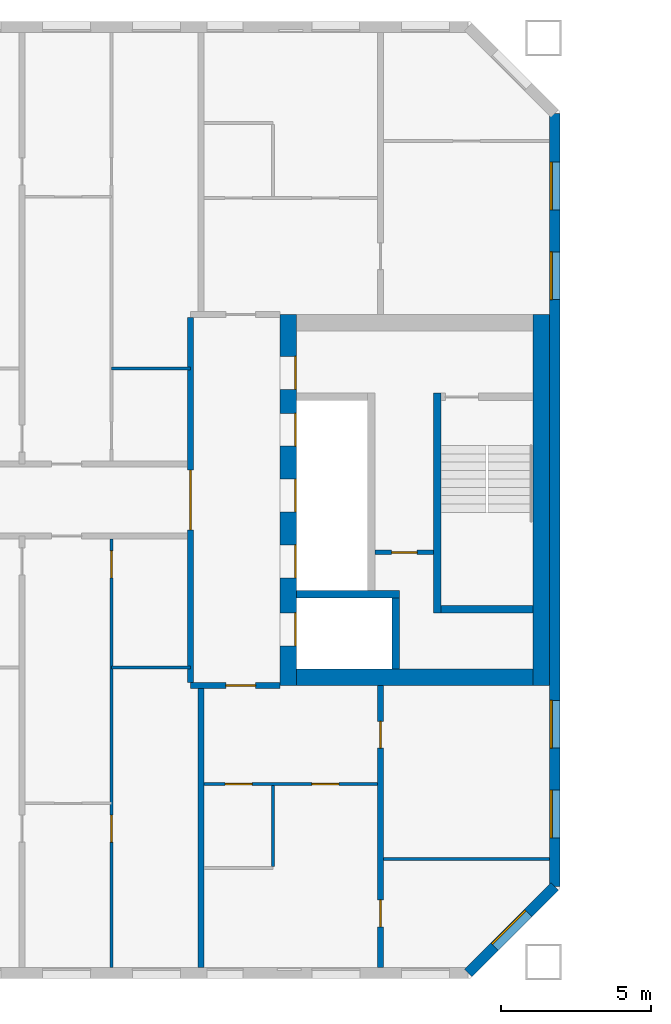
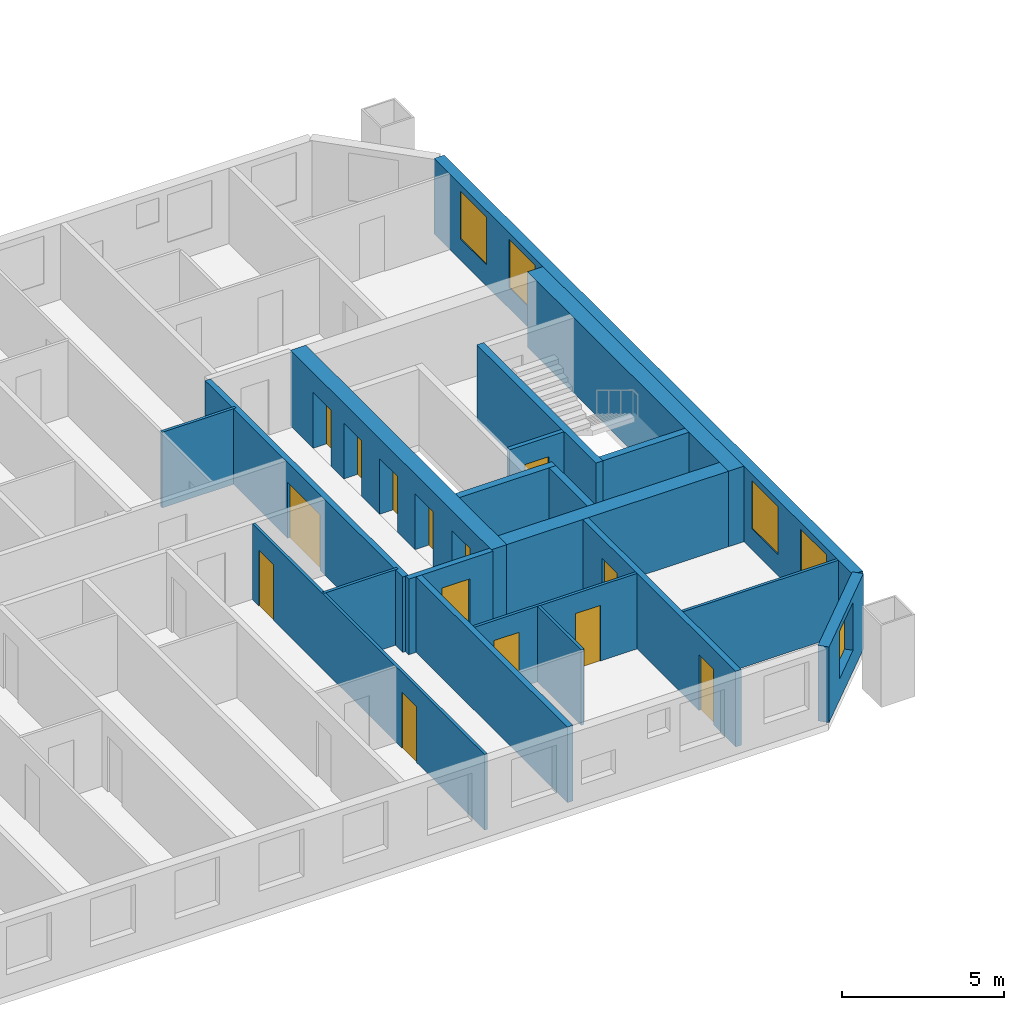
# One storey, part 7 of 17: 20 walls, 14 doors, 5 windows, 19 openings.
"""IFC4 building model written with IfcOpenShell, lengths in metres."""

import ifcopenshell
import ifcopenshell.guid

model = None  # the IFC model being written
_history = None  # IfcOwnerHistory: only IFC2X3 demands one
_inside = {}  # id of a spatial element -> (the spatial element, [elements in it])
_under = {}  # id of a project, library or spatial element -> (it, [spatial elements below it])
_declared = {}  # id of a project -> (the project, [libraries it declares])
_typed = {}  # id of a type object -> (the type object, [elements of that type])
_made_of = {}  # id of a material, layer set ... -> (it, [elements and type objects made of it])


def new_model(schema):
    """Start an empty IFC model of exactly this schema.

    Asked for "IFC4X3", IfcOpenShell would pick the latest addendum, in which some entities
    have other attributes; the version numbers below select the first issue.
    IFC2X3 requires an IfcOwnerHistory on every rooted entity: one is made here for all.
    """
    global model, _history
    if schema == "IFC4X3":
        model = ifcopenshell.file(schema_version=(4, 3, 0, 0))
    else:
        model = ifcopenshell.file(schema=schema)
    _inside.clear()
    _under.clear()
    _declared.clear()
    _typed.clear()
    _made_of.clear()
    _history = None
    if model.schema == "IFC2X3":
        org = make("IfcOrganization", Name="unknown")
        user = make(
            "IfcPersonAndOrganization",
            ThePerson=make("IfcPerson", FamilyName="unknown"),
            TheOrganization=org,
        )
        app = make(
            "IfcApplication",
            ApplicationDeveloper=org,
            Version="unknown",
            ApplicationFullName="unknown",
            ApplicationIdentifier="unknown",
        )
        _history = make(
            "IfcOwnerHistory",
            OwningUser=user,
            OwningApplication=app,
            ChangeAction="ADDED",
            CreationDate=0,
        )
    return model


def make(cls, **values):
    """One entity of the class cls with the attributes given. An attribute that is None is left unset."""
    return model.create_entity(
        cls, **{name: value for name, value in values.items() if value is not None}
    )


def rooted(cls, **values):
    """An entity with a GlobalId (a new one), such as an element, a storey or a relation."""
    return make(cls, GlobalId=ifcopenshell.guid.new(), OwnerHistory=_history, **values)


def si_unit(unit_type, name, prefix=None):
    """IfcSIUnit, for example si_unit("LENGTHUNIT", "METRE", prefix="MILLI")."""
    return make("IfcSIUnit", UnitType=unit_type, Prefix=prefix, Name=name)


def assignment(units):
    """IfcUnitAssignment: the units of a project."""
    return None if units is None else make("IfcUnitAssignment", Units=units)


def point(xyz):
    """IfcCartesianPoint."""
    return None if xyz is None else make("IfcCartesianPoint", Coordinates=xyz)


def direction(xyz):
    """IfcDirection."""
    return None if xyz is None else make("IfcDirection", DirectionRatios=xyz)


def frame(location, z_axis=None, x_axis=None):
    """IfcAxis2Placement3D, a coordinate frame: its origin and axes. An axis left out is left unset."""
    return make(
        "IfcAxis2Placement3D",
        Location=point(location),
        Axis=direction(z_axis),
        RefDirection=direction(x_axis),
    )


def frame_2d(location, x_axis=None):
    """IfcAxis2Placement2D, a coordinate frame in the plane: its origin and x axis."""
    return make(
        "IfcAxis2Placement2D", Location=point(location), RefDirection=direction(x_axis)
    )


def origin():
    """The frame at (0, 0, 0) with its axes left unset."""
    return frame((0.0, 0.0, 0.0))


def place(relative_to, where):
    """IfcLocalPlacement: puts the frame where relative to a parent placement (None: the world)."""
    return make(
        "IfcLocalPlacement", PlacementRelTo=relative_to, RelativePlacement=where
    )


def context(
    kind, dimensions, precision=None, world=None, true_north=None, identifier=None
):
    """IfcGeometricRepresentationContext, for example the 3D "Model" context."""
    return make(
        "IfcGeometricRepresentationContext",
        ContextIdentifier=identifier,
        ContextType=kind,
        CoordinateSpaceDimension=dimensions,
        Precision=precision,
        WorldCoordinateSystem=world,
        TrueNorth=true_north,
    )


def subcontext(parent, identifier, kind, view, scale=None):
    """IfcGeometricRepresentationSubContext, for example "Body" below "Model"."""
    return make(
        "IfcGeometricRepresentationSubContext",
        ContextIdentifier=identifier,
        ContextType=kind,
        ParentContext=parent,
        TargetScale=scale,
        TargetView=view,
    )


def project(units=None, contexts=None):
    """IfcProject with its units and contexts."""
    return rooted(
        "IfcProject",
        Name="project",
        RepresentationContexts=contexts,
        UnitsInContext=assignment(units),
    )


def spatial(cls, under=None, at=None, **own):
    """A site, building, storey or space (cls), placed at a placement, below another one or the project."""
    s = rooted(cls, ObjectPlacement=at, **own)
    if under is not None:
        _under.setdefault(under.id(), (under, []))[1].append(s)
    return s


def profile(cls, at=None, kind="AREA", **sizes):
    """A parametric profile (cls). Its sizes go by their IFC names, for example OverallWidth=200.0."""
    return make(cls, ProfileType=kind, Position=at, **sizes)


def rectangle(**sizes):
    """IfcRectangleProfileDef."""
    return profile("IfcRectangleProfileDef", **sizes)


def extrude(swept, where, along, depth):
    """IfcExtrudedAreaSolid: the profile swept, set in the frame where, extruded along a direction by depth."""
    return make(
        "IfcExtrudedAreaSolid",
        SweptArea=swept,
        Position=where,
        ExtrudedDirection=direction(along),
        Depth=depth,
    )


def shape(context_of_items, identifier, shape_type, items):
    """IfcShapeRepresentation: the items that make up one representation, for example the "Body"."""
    return make(
        "IfcShapeRepresentation",
        ContextOfItems=context_of_items,
        RepresentationIdentifier=identifier,
        RepresentationType=shape_type,
        Items=items,
    )


def material(Name=None, Category=None):
    """IfcMaterial."""
    return make("IfcMaterial", Name=Name, Category=Category)


def layer(
    of_material, thickness, ventilated=None, Name=None, Category=None, Priority=None
):
    """IfcMaterialLayer: one layer of a wall or slab, of a material (None: an air gap)."""
    return make(
        "IfcMaterialLayer",
        Material=of_material,
        LayerThickness=thickness,
        IsVentilated=ventilated,
        Name=Name,
        Category=Category,
        Priority=Priority,
    )


def layer_set(layers, Name=None):
    """IfcMaterialLayerSet."""
    return make("IfcMaterialLayerSet", MaterialLayers=layers, LayerSetName=Name)


def made_of(thing, what):
    """Note that an element or type object is made of a material, layer set ...; save() writes the relation."""
    if what is not None:
        _made_of.setdefault(what.id(), (what, []))[1].append(thing)
    return thing


def type_object(cls, material=None, **own):
    """A type object (cls), such as IfcWallType, which elements share."""
    return made_of(rooted(cls, **own), material)


def element(
    cls,
    number,
    at=None,
    inside=None,
    cuts=None,
    type_object=None,
    material=None,
    context=None,
    identifier="Body",
    shape_type=None,
    held_by="IfcProductDefinitionShape",
    body=None,
    shapes=None,
    **own,
):
    """One element of the class cls, such as IfcWall. Its Tag is "e" and its number.

    at: its placement. inside: the storey or other place that contains it. cuts: it is an
    opening in that element (IfcRelVoidsElement). A single representation is given by context,
    identifier, shape_type and body (its items); several are given by shapes. held_by: the class
    of the entity that holds the representations. save() writes the other relations.
    """
    e = rooted(cls, Tag="e%d" % number, ObjectPlacement=at, **own)
    if body is not None:
        shapes = [shape(context, identifier, shape_type, body)]
    if shapes is not None:
        e.Representation = make(held_by, Representations=shapes)
    if inside is not None:
        _inside.setdefault(inside.id(), (inside, []))[1].append(e)
    if cuts is not None:
        rooted(
            "IfcRelVoidsElement", RelatingBuildingElement=cuts, RelatedOpeningElement=e
        )
    if type_object is not None:
        _typed.setdefault(type_object.id(), (type_object, []))[1].append(e)
    return made_of(e, material)


def fill(opening, filler):
    """IfcRelFillsElement: the door or window that sits in an opening."""
    return rooted(
        "IfcRelFillsElement",
        RelatingOpeningElement=opening,
        RelatedBuildingElement=filler,
    )


def aggregate(whole, parts):
    """IfcRelAggregates: a whole, such as a stair, and the parts it consists of."""
    return rooted("IfcRelAggregates", RelatingObject=whole, RelatedObjects=parts)


def save(model, path):
    """Write the relations noted so far, then the file.

    IfcRelAggregates (storeys below a building ...), IfcRelContainedInSpatialStructure (elements
    in a storey), IfcRelDefinesByType, IfcRelAssociatesMaterial and IfcRelDeclares: one each for
    every whole, place, type object, material and project.
    """
    for whole, parts in _under.values():
        aggregate(whole, parts)
    for where, things in _inside.values():
        rooted(
            "IfcRelContainedInSpatialStructure",
            RelatedElements=things,
            RelatingStructure=where,
        )
    for kind, things in _typed.values():
        rooted("IfcRelDefinesByType", RelatedObjects=things, RelatingType=kind)
    for what, things in _made_of.values():
        rooted("IfcRelAssociatesMaterial", RelatedObjects=things, RelatingMaterial=what)
    for by, libraries in _declared.values():
        rooted("IfcRelDeclares", RelatingContext=by, RelatedDefinitions=libraries)
    model.write(path)


model = new_model("IFC4")

# Units and contexts
model_context = context("Model", 3, precision=1e-05, world=origin(), true_north=direction((0.0, 1.0)))
body_context = subcontext(model_context, "Body", "Model", "MODEL_VIEW")
ifc_project = project(units=[si_unit("LENGTHUNIT", "METRE"), si_unit("AREAUNIT", "SQUARE_METRE"), si_unit("VOLUMEUNIT", "CUBIC_METRE"), si_unit("PLANEANGLEUNIT", "RADIAN"), si_unit("MASSUNIT", "GRAM", prefix="KILO")], contexts=[model_context])

# Site, building, storey
site_placement = place(None, origin())
site = spatial("IfcSite", under=ifc_project, at=site_placement, CompositionType="ELEMENT")
building_placement = place(site_placement, origin())
building = spatial("IfcBuilding", under=site, at=building_placement, Name="Tuart Gate Housing", CompositionType="ELEMENT")
storey_placement = place(building_placement, frame((0.0, 0.0, 126.800048828125)))
storey = spatial("IfcBuildingStorey", under=building, at=storey_placement, Name="L35", CompositionType="ELEMENT", Elevation=126.800048828125)

# Wall, opening, window
ifc_material_1 = material(Name="Brick", Category="masonry")
ifc_layer_1 = layer(ifc_material_1, 0.360107421875)
ifc_layer_set_1 = layer_set([ifc_layer_1], Name="Brick pier and spandrel wall 360")
wall_type_1 = type_object("IfcWallType", Name="Brick pier and spandrel wall 360", PredefinedType="STANDARD", material=ifc_layer_set_1)
wall_1_placement = place(storey_placement, frame((72.92529296875, 54.179931640625, 0.0), z_axis=(0.0, 0.0, 1.0), x_axis=(0.707106781187, 0.707106781187, 0.0)))
wall_1 = element("IfcWall", 1, at=wall_1_placement, inside=storey, type_object=wall_type_1, Name="External wall A-SE L35", PredefinedType="STANDARD", context=body_context, shape_type="SweptSolid", body=[
    extrude(rectangle(XDim=4.09375, YDim=0.360107421875, at=frame_2d((2.046875, 0.0))), origin(), (0.0, 0.0, 1.0), 2.849853515625),
])
opening_1_placement = place(wall_1_placement, frame((1.2470703125, 0.0, 0.800048828125)))
opening_1 = element("IfcOpeningElement", 2, at=opening_1_placement, cuts=wall_1, Name="Opening W1", PredefinedType="OPENING", context=body_context, shape_type="SweptSolid", body=[
    extrude(rectangle(XDim=1.60009765625, YDim=1.800048828125, at=frame_2d((0.800048828125, 0.89990234375))), frame((0.0, 0.18994140625, 0.0), z_axis=(0.0, -1.0, 0.0), x_axis=(1.0, 0.0, 0.0)), (0.0, 0.0, 1.0), 0.380126953125),
])
ifc_material_2 = material(Name="Aluminium frame with clear glass", Category="aluminium")
window_type = type_object("IfcWindowType", Name="Punched window 1600 x 1800", PartitioningType="SINGLE_PANEL", PredefinedType="WINDOW", material=ifc_material_2)
window_1_placement = place(opening_1_placement, origin())
window_1 = element("IfcWindow", 3, at=window_1_placement, inside=storey, type_object=window_type, Name="Window W1", OverallHeight=1.800048828125, OverallWidth=1.60009765625, PartitioningType="SINGLE_PANEL", PredefinedType="WINDOW", context=body_context, shape_type="SweptSolid", body=[
    extrude(rectangle(XDim=1.60009765625, YDim=1.800048828125, at=frame_2d((0.800048828125, 0.89990234375))), frame((0.0, 0.150146484375, 0.0), z_axis=(0.0, -1.0, 0.0), x_axis=(1.0, 0.0, 0.0)), (0.0, 0.0, 1.0), 0.06005859375),
])
fill(opening_1, window_1)

# Wall, openings, windows
wall_2_placement = place(storey_placement, frame((75.820068359375, 57.07470703125, 0.0), z_axis=(0.0, 0.0, 1.0), x_axis=(0.0, 1.0, 0.0)))
wall_2 = element("IfcWall", 4, at=wall_2_placement, inside=storey, type_object=wall_type_1, Name="External wall A-E L35", PredefinedType="STANDARD", context=body_context, shape_type="SweptSolid", body=[
    extrude(rectangle(XDim=25.850830078125, YDim=0.360107421875, at=frame_2d((12.92529296875, 0.0))), origin(), (0.0, 0.0, 1.0), 2.849853515625),
])
opening_2_placement = place(wall_2_placement, frame((1.62548828125, 0.0, 0.800048828125)))
opening_2 = element("IfcOpeningElement", 5, at=opening_2_placement, cuts=wall_2, Name="Opening W1", PredefinedType="OPENING", context=body_context, shape_type="SweptSolid", body=[
    extrude(rectangle(XDim=1.60009765625, YDim=1.800048828125, at=frame_2d((0.800048828125, 0.89990234375))), frame((0.0, 0.18994140625, 0.0), z_axis=(0.0, -1.0, 0.0), x_axis=(1.0, 0.0, 0.0)), (0.0, 0.0, 1.0), 0.380126953125),
])
opening_3_placement = place(wall_2_placement, frame((4.62548828125, 0.0, 0.800048828125)))
opening_3 = element("IfcOpeningElement", 6, at=opening_3_placement, cuts=wall_2, Name="Opening W1", PredefinedType="OPENING", context=body_context, shape_type="SweptSolid", body=[
    extrude(rectangle(XDim=1.60009765625, YDim=1.800048828125, at=frame_2d((0.800048828125, 0.89990234375))), frame((0.0, 0.18994140625, 0.0), z_axis=(0.0, -1.0, 0.0), x_axis=(1.0, 0.0, 0.0)), (0.0, 0.0, 1.0), 0.380126953125),
])
opening_4_placement = place(wall_2_placement, frame((19.62548828125, 0.0, 0.800048828125)))
opening_4 = element("IfcOpeningElement", 7, at=opening_4_placement, cuts=wall_2, Name="Opening W1", PredefinedType="OPENING", context=body_context, shape_type="SweptSolid", body=[
    extrude(rectangle(XDim=1.60009765625, YDim=1.800048828125, at=frame_2d((0.800048828125, 0.89990234375))), frame((0.0, 0.18994140625, 0.0), z_axis=(0.0, -1.0, 0.0), x_axis=(1.0, 0.0, 0.0)), (0.0, 0.0, 1.0), 0.380126953125),
])
opening_5_placement = place(wall_2_placement, frame((22.62548828125, 0.0, 0.800048828125)))
opening_5 = element("IfcOpeningElement", 8, at=opening_5_placement, cuts=wall_2, Name="Opening W1", PredefinedType="OPENING", context=body_context, shape_type="SweptSolid", body=[
    extrude(rectangle(XDim=1.60009765625, YDim=1.800048828125, at=frame_2d((0.800048828125, 0.89990234375))), frame((0.0, 0.18994140625, 0.0), z_axis=(0.0, -1.0, 0.0), x_axis=(1.0, 0.0, 0.0)), (0.0, 0.0, 1.0), 0.380126953125),
])
window_2_placement = place(opening_2_placement, origin())
window_2 = element("IfcWindow", 9, at=window_2_placement, inside=storey, type_object=window_type, Name="Window W1", OverallHeight=1.800048828125, OverallWidth=1.60009765625, PartitioningType="SINGLE_PANEL", PredefinedType="WINDOW", context=body_context, shape_type="SweptSolid", body=[
    extrude(rectangle(XDim=1.60009765625, YDim=1.800048828125, at=frame_2d((0.800048828125, 0.89990234375))), frame((0.0, 0.150146484375, 0.0), z_axis=(0.0, -1.0, 0.0), x_axis=(1.0, 0.0, 0.0)), (0.0, 0.0, 1.0), 0.06005859375),
])
fill(opening_2, window_2)
window_3_placement = place(opening_3_placement, origin())
window_3 = element("IfcWindow", 10, at=window_3_placement, inside=storey, type_object=window_type, Name="Window W1", OverallHeight=1.800048828125, OverallWidth=1.60009765625, PartitioningType="SINGLE_PANEL", PredefinedType="WINDOW", context=body_context, shape_type="SweptSolid", body=[
    extrude(rectangle(XDim=1.60009765625, YDim=1.800048828125, at=frame_2d((0.800048828125, 0.89990234375))), frame((0.0, 0.150146484375, 0.0), z_axis=(0.0, -1.0, 0.0), x_axis=(1.0, 0.0, 0.0)), (0.0, 0.0, 1.0), 0.06005859375),
])
fill(opening_3, window_3)
window_4_placement = place(opening_4_placement, origin())
window_4 = element("IfcWindow", 11, at=window_4_placement, inside=storey, type_object=window_type, Name="Window W1", OverallHeight=1.800048828125, OverallWidth=1.60009765625, PartitioningType="SINGLE_PANEL", PredefinedType="WINDOW", context=body_context, shape_type="SweptSolid", body=[
    extrude(rectangle(XDim=1.60009765625, YDim=1.800048828125, at=frame_2d((0.800048828125, 0.89990234375))), frame((0.0, 0.150146484375, 0.0), z_axis=(0.0, -1.0, 0.0), x_axis=(1.0, 0.0, 0.0)), (0.0, 0.0, 1.0), 0.06005859375),
])
fill(opening_4, window_4)
window_5_placement = place(opening_5_placement, origin())
window_5 = element("IfcWindow", 12, at=window_5_placement, inside=storey, type_object=window_type, Name="Window W1", OverallHeight=1.800048828125, OverallWidth=1.60009765625, PartitioningType="SINGLE_PANEL", PredefinedType="WINDOW", context=body_context, shape_type="SweptSolid", body=[
    extrude(rectangle(XDim=1.60009765625, YDim=1.800048828125, at=frame_2d((0.800048828125, 0.89990234375))), frame((0.0, 0.150146484375, 0.0), z_axis=(0.0, -1.0, 0.0), x_axis=(1.0, 0.0, 0.0)), (0.0, 0.0, 1.0), 0.06005859375),
])
fill(opening_5, window_5)

# Wall, opening, door
ifc_material_3 = material(Name="Plasterboard partition")
ifc_layer_2 = layer(ifc_material_3, 0.14990234375)
ifc_layer_set_2 = layer_set([ifc_layer_2], Name="Core partition 150")
wall_type_2 = type_object("IfcWallType", Name="Core partition 150", PredefinedType="PARTITIONING", material=ifc_layer_set_2)
wall_3_placement = place(storey_placement, frame((69.81494140625, 68.25, 0.0), z_axis=(0.0, 0.0, 1.0), x_axis=(1.0, 0.0, 0.0)))
wall_3 = element("IfcWall", 13, at=wall_3_placement, inside=storey, type_object=wall_type_2, Name="Core partition AG.3", PredefinedType="PARTITIONING", context=body_context, shape_type="SweptSolid", body=[
    extrude(rectangle(XDim=1.949951171875, YDim=0.14990234375, at=frame_2d((0.97509765625, 0.0))), origin(), (0.0, 0.0, 1.0), 2.849853515625),
])
opening_6_placement = place(wall_3_placement, frame((0.550048828125, 0.0, 0.0)))
opening_6 = element("IfcOpeningElement", 14, at=opening_6_placement, cuts=wall_3, Name="Opening D1327", PredefinedType="OPENING", context=body_context, shape_type="SweptSolid", body=[
    extrude(rectangle(XDim=0.85009765625, YDim=2.10009765625, at=frame_2d((0.425048828125, 1.050048828125))), frame((0.0, 0.0849609375, 0.0), z_axis=(0.0, -1.0, 0.0), x_axis=(1.0, 0.0, 0.0)), (0.0, 0.0, 1.0), 0.169921875),
])
ifc_material_4 = material(Name="Steel fire door", Category="steel")
door_type_1 = type_object("IfcDoorType", Name="Riser door 850 x 2100 RH", OperationType="SINGLE_SWING_RIGHT", PredefinedType="DOOR", material=ifc_material_4)
door_1_placement = place(opening_6_placement, frame((0.85009765625, 0.0, 0.0), z_axis=(0.0, 0.0, 1.0), x_axis=(-1.0, 0.0, 0.0)))
door_1 = element("IfcDoor", 15, at=door_1_placement, inside=storey, type_object=door_type_1, Name="Service room door AG.E1", OperationType="SINGLE_SWING_RIGHT", OverallHeight=2.10009765625, OverallWidth=0.85009765625, PredefinedType="DOOR", context=body_context, shape_type="SweptSolid", body=[
    extrude(rectangle(XDim=0.85009765625, YDim=2.10009765625, at=frame_2d((0.425048828125, 1.050048828125))), frame((0.0, 0.025146484375, 0.0), z_axis=(0.0, -1.0, 0.0), x_axis=(1.0, 0.0, 0.0)), (0.0, 0.0, 1.0), 0.050048828125),
])
fill(opening_6, door_1)

# Walls
ifc_material_5 = material(Name="Concrete C50", Category="concrete")
ifc_layer_3 = layer(ifc_material_5, 0.25)
ifc_layer_set_3 = layer_set([ifc_layer_3], Name="Core wall 250 C50")
wall_type_3 = type_object("IfcWallType", Name="Core wall 250 C50", PredefinedType="SHEAR", material=ifc_layer_set_3)
wall_4_placement = place(storey_placement, frame((72.014892578125, 66.35009765625, 0.0), z_axis=(0.0, 0.0, 1.0), x_axis=(1.0, 0.0, 0.0)))
element("IfcWall", 16, at=wall_4_placement, inside=storey, type_object=wall_type_3, Name="Core wall AG.1", PredefinedType="SHEAR", context=body_context, shape_type="SweptSolid", body=[
    extrude(rectangle(XDim=3.0751953125, YDim=0.25, at=frame_2d((1.53759765625, 0.0))), origin(), (0.0, 0.0, 1.0), 2.849853515625),
])
wall_5_placement = place(storey_placement, frame((67.18994140625, 66.85009765625, 0.0), z_axis=(0.0, 0.0, 1.0), x_axis=(1.0, 0.0, 0.0)))
element("IfcWall", 17, at=wall_5_placement, inside=storey, type_object=wall_type_3, Name="Core wall AG.2", PredefinedType="SHEAR", context=body_context, shape_type="SweptSolid", body=[
    extrude(rectangle(XDim=3.445068359375, YDim=0.25, at=frame_2d((1.72265625, 0.0))), origin(), (0.0, 0.0, 1.0), 2.849853515625),
])
wall_6_placement = place(storey_placement, frame((70.510009765625, 64.35009765625, 0.0), z_axis=(0.0, 0.0, 1.0), x_axis=(0.0, 1.0, 0.0)))
element("IfcWall", 18, at=wall_6_placement, inside=storey, type_object=wall_type_3, Name="Core wall AG.7", PredefinedType="SHEAR", context=body_context, shape_type="SweptSolid", body=[
    extrude(rectangle(XDim=2.375, YDim=0.25, at=frame_2d((1.1875, 0.0))), origin(), (0.0, 0.0, 1.0), 2.849853515625),
])
wall_7_placement = place(storey_placement, frame((71.889892578125, 66.22509765625, 0.0), z_axis=(0.0, 0.0, 1.0), x_axis=(0.0, 1.0, 0.0)))
element("IfcWall", 19, at=wall_7_placement, inside=storey, type_object=wall_type_3, Name="Core wall AG.8", PredefinedType="SHEAR", context=body_context, shape_type="SweptSolid", body=[
    extrude(rectangle(XDim=7.349853515625, YDim=0.25, at=frame_2d((3.6748046875, 0.0))), origin(), (0.0, 0.0, 1.0), 2.849853515625),
])

# Wall, openings, doors
ifc_material_6 = material(Name="Concrete C50", Category="concrete")
ifc_layer_4 = layer(ifc_material_6, 0.550048828125)
ifc_layer_set_4 = layer_set([ifc_layer_4], Name="Core wall 550 C50")
wall_type_4 = type_object("IfcWallType", Name="Core wall 550 C50", PredefinedType="SHEAR", material=ifc_layer_set_4)
wall_8_placement = place(storey_placement, frame((66.9150390625, 63.800048828125, 0.0), z_axis=(0.0, 0.0, 1.0), x_axis=(0.0, 1.0, 0.0)))
wall_8 = element("IfcWall", 20, at=wall_8_placement, inside=storey, type_object=wall_type_4, Name="Core wall AG front", PredefinedType="SHEAR", context=body_context, shape_type="SweptSolid", body=[
    extrude(rectangle(XDim=12.39990234375, YDim=0.550048828125, at=frame_2d((6.199951171875, 0.0))), origin(), (0.0, 0.0, 1.0), 2.849853515625),
])
opening_7_placement = place(wall_8_placement, frame((1.324951171875, 0.0, 0.0)))
opening_7 = element("IfcOpeningElement", 21, at=opening_7_placement, cuts=wall_8, Name="Opening LD-FA1", PredefinedType="OPENING", context=body_context, shape_type="SweptSolid", body=[
    extrude(rectangle(XDim=1.10009765625, YDim=2.10009765625, at=frame_2d((0.550048828125, 1.050048828125))), frame((0.0, 0.284912109375, 0.0), z_axis=(0.0, -1.0, 0.0), x_axis=(1.0, 0.0, 0.0)), (0.0, 0.0, 1.0), 0.570068359375),
])
opening_8_placement = place(wall_8_placement, frame((3.60009765625, 0.0, 0.0)))
opening_8 = element("IfcOpeningElement", 22, at=opening_8_placement, cuts=wall_8, Name="Opening LD-LA1", PredefinedType="OPENING", context=body_context, shape_type="SweptSolid", body=[
    extrude(rectangle(XDim=1.10009765625, YDim=2.10009765625, at=frame_2d((0.550048828125, 1.050048828125))), frame((0.0, 0.284912109375, 0.0), z_axis=(0.0, -1.0, 0.0), x_axis=(1.0, 0.0, 0.0)), (0.0, 0.0, 1.0), 0.570068359375),
])
opening_9_placement = place(wall_8_placement, frame((5.800048828125, 0.0, 0.0)))
opening_9 = element("IfcOpeningElement", 23, at=opening_9_placement, cuts=wall_8, Name="Opening LD-LA2", PredefinedType="OPENING", context=body_context, shape_type="SweptSolid", body=[
    extrude(rectangle(XDim=1.10009765625, YDim=2.10009765625, at=frame_2d((0.550048828125, 1.050048828125))), frame((0.0, 0.284912109375, 0.0), z_axis=(0.0, -1.0, 0.0), x_axis=(1.0, 0.0, 0.0)), (0.0, 0.0, 1.0), 0.570068359375),
])
opening_10_placement = place(wall_8_placement, frame((8.0, 0.0, 0.0)))
opening_10 = element("IfcOpeningElement", 24, at=opening_10_placement, cuts=wall_8, Name="Opening LD-LA3", PredefinedType="OPENING", context=body_context, shape_type="SweptSolid", body=[
    extrude(rectangle(XDim=1.10009765625, YDim=2.10009765625, at=frame_2d((0.550048828125, 1.050048828125))), frame((0.0, 0.284912109375, 0.0), z_axis=(0.0, -1.0, 0.0), x_axis=(1.0, 0.0, 0.0)), (0.0, 0.0, 1.0), 0.570068359375),
])
opening_11_placement = place(wall_8_placement, frame((9.89990234375, 0.0, 0.0)))
opening_11 = element("IfcOpeningElement", 25, at=opening_11_placement, cuts=wall_8, Name="Opening D1324", PredefinedType="OPENING", context=body_context, shape_type="SweptSolid", body=[
    extrude(rectangle(XDim=1.10009765625, YDim=2.10009765625, at=frame_2d((0.550048828125, 1.050048828125))), frame((0.0, 0.284912109375, 0.0), z_axis=(0.0, -1.0, 0.0), x_axis=(1.0, 0.0, 0.0)), (0.0, 0.0, 1.0), 0.570068359375),
])
ifc_material_7 = material(Name="Stainless steel", Category="steel")
door_type_2 = type_object("IfcDoorType", Name="Landing door 1100 x 2100", OperationType="DOUBLE_DOOR_SLIDING", PredefinedType="DOOR", material=ifc_material_7)
door_2_placement = place(opening_7_placement, origin())
door_2 = element("IfcDoor", 26, at=door_2_placement, inside=storey, type_object=door_type_2, Name="Lift landing door FA1", OperationType="DOUBLE_DOOR_SLIDING", OverallHeight=2.10009765625, OverallWidth=1.10009765625, PredefinedType="DOOR", context=body_context, shape_type="SweptSolid", body=[
    extrude(rectangle(XDim=1.10009765625, YDim=2.10009765625, at=frame_2d((0.550048828125, 1.050048828125))), frame((0.0, -0.2099609375, 0.0), z_axis=(0.0, -1.0, 0.0), x_axis=(1.0, 0.0, 0.0)), (0.0, 0.0, 1.0), 0.050048828125),
])
fill(opening_7, door_2)
door_3_placement = place(opening_8_placement, origin())
door_3 = element("IfcDoor", 27, at=door_3_placement, inside=storey, type_object=door_type_2, Name="Lift landing door LA1", OperationType="DOUBLE_DOOR_SLIDING", OverallHeight=2.10009765625, OverallWidth=1.10009765625, PredefinedType="DOOR", context=body_context, shape_type="SweptSolid", body=[
    extrude(rectangle(XDim=1.10009765625, YDim=2.10009765625, at=frame_2d((0.550048828125, 1.050048828125))), frame((0.0, -0.2099609375, 0.0), z_axis=(0.0, -1.0, 0.0), x_axis=(1.0, 0.0, 0.0)), (0.0, 0.0, 1.0), 0.050048828125),
])
fill(opening_8, door_3)
door_4_placement = place(opening_9_placement, origin())
door_4 = element("IfcDoor", 28, at=door_4_placement, inside=storey, type_object=door_type_2, Name="Lift landing door LA2", OperationType="DOUBLE_DOOR_SLIDING", OverallHeight=2.10009765625, OverallWidth=1.10009765625, PredefinedType="DOOR", context=body_context, shape_type="SweptSolid", body=[
    extrude(rectangle(XDim=1.10009765625, YDim=2.10009765625, at=frame_2d((0.550048828125, 1.050048828125))), frame((0.0, -0.2099609375, 0.0), z_axis=(0.0, -1.0, 0.0), x_axis=(1.0, 0.0, 0.0)), (0.0, 0.0, 1.0), 0.050048828125),
])
fill(opening_9, door_4)
door_5_placement = place(opening_10_placement, origin())
door_5 = element("IfcDoor", 29, at=door_5_placement, inside=storey, type_object=door_type_2, Name="Lift landing door LA3", OperationType="DOUBLE_DOOR_SLIDING", OverallHeight=2.10009765625, OverallWidth=1.10009765625, PredefinedType="DOOR", context=body_context, shape_type="SweptSolid", body=[
    extrude(rectangle(XDim=1.10009765625, YDim=2.10009765625, at=frame_2d((0.550048828125, 1.050048828125))), frame((0.0, -0.2099609375, 0.0), z_axis=(0.0, -1.0, 0.0), x_axis=(1.0, 0.0, 0.0)), (0.0, 0.0, 1.0), 0.050048828125),
])
fill(opening_10, door_5)
ifc_material_8 = material(Name="Steel fire door", Category="steel")
door_type_3 = type_object("IfcDoorType", Name="Lobby door 1100 x 2100 RH", OperationType="SINGLE_SWING_RIGHT", PredefinedType="DOOR", material=ifc_material_8)
door_6_placement = place(opening_11_placement, frame((1.10009765625, 0.0, 0.0), z_axis=(0.0, 0.0, 1.0), x_axis=(-1.0, 0.0, 0.0)))
door_6 = element("IfcDoor", 30, at=door_6_placement, inside=storey, type_object=door_type_3, Name="Lobby entry door AG.EN", OperationType="SINGLE_SWING_RIGHT", OverallHeight=2.10009765625, OverallWidth=1.10009765625, PredefinedType="DOOR", context=body_context, shape_type="SweptSolid", body=[
    extrude(rectangle(XDim=1.10009765625, YDim=2.10009765625, at=frame_2d((0.550048828125, 1.050048828125))), frame((0.0, 0.260009765625, 0.0), z_axis=(0.0, -1.0, 0.0), x_axis=(1.0, 0.0, 0.0)), (0.0, 0.0, 1.0), 0.050048828125),
])
fill(opening_11, door_6)

# Walls
wall_9_placement = place(storey_placement, frame((75.364990234375, 63.800048828125, 0.0), z_axis=(0.0, 0.0, 1.0), x_axis=(0.0, 1.0, 0.0)))
element("IfcWall", 31, at=wall_9_placement, inside=storey, type_object=wall_type_4, Name="Core wall AG back", PredefinedType="SHEAR", context=body_context, shape_type="SweptSolid", body=[
    extrude(rectangle(XDim=12.39990234375, YDim=0.550048828125, at=frame_2d((6.199951171875, 0.0))), origin(), (0.0, 0.0, 1.0), 2.849853515625),
])
wall_10_placement = place(storey_placement, frame((67.18994140625, 64.074951171875, 0.0), z_axis=(0.0, 0.0, 1.0), x_axis=(1.0, 0.0, 0.0)))
element("IfcWall", 32, at=wall_10_placement, inside=storey, type_object=wall_type_4, Name="Core wall AG south", PredefinedType="SHEAR", context=body_context, shape_type="SweptSolid", body=[
    extrude(rectangle(XDim=7.900146484375, YDim=0.550048828125, at=frame_2d((3.9501953125, 0.0))), origin(), (0.0, 0.0, 1.0), 2.849853515625),
])

# Wall, opening, door
ifc_material_9 = material(Name="Concrete masonry 15 MPa", Category="masonry")
ifc_layer_5 = layer(ifc_material_9, 0.199951171875)
ifc_layer_set_5 = layer_set([ifc_layer_5], Name="Enclosure wall masonry 200")
wall_type_5 = type_object("IfcWallType", Name="Enclosure wall masonry 200", PredefinedType="PARTITIONING", material=ifc_layer_set_5)
wall_11_placement = place(storey_placement, frame((63.639892578125, 63.800048828125, 0.0), z_axis=(0.0, 0.0, 1.0), x_axis=(1.0, 0.0, 0.0)))
wall_11 = element("IfcWall", 33, at=wall_11_placement, inside=storey, type_object=wall_type_5, Name="Enclosure wall masonry 200", PredefinedType="PARTITIONING", context=body_context, shape_type="SweptSolid", body=[
    extrude(rectangle(XDim=3.0, YDim=0.199951171875, at=frame_2d((1.5, 0.0))), origin(), (0.0, 0.0, 1.0), 2.849853515625),
])
opening_12_placement = place(wall_11_placement, frame((1.179931640625, 0.0, 0.0)))
opening_12 = element("IfcOpeningElement", 34, at=opening_12_placement, cuts=wall_11, Name="Opening D1330", PredefinedType="OPENING", context=body_context, shape_type="SweptSolid", body=[
    extrude(rectangle(XDim=1.0, YDim=2.10009765625, at=frame_2d((0.5, 1.050048828125))), frame((0.0, 0.10986328125, 0.0), z_axis=(0.0, -1.0, 0.0), x_axis=(1.0, 0.0, 0.0)), (0.0, 0.0, 1.0), 0.219970703125),
])
ifc_material_10 = material(Name="Timber door leaf in steel frame", Category="steel")
door_type_4 = type_object("IfcDoorType", Name="Flat entrance door 1000 RH", OperationType="SINGLE_SWING_RIGHT", PredefinedType="DOOR", material=ifc_material_10)
door_7_placement = place(opening_12_placement, frame((1.0, 0.0, 0.0), z_axis=(0.0, 0.0, 1.0), x_axis=(-1.0, 0.0, 0.0)))
door_7 = element("IfcDoor", 35, at=door_7_placement, inside=storey, type_object=door_type_4, Name="Flat entrance door", OperationType="SINGLE_SWING_RIGHT", OverallHeight=2.10009765625, OverallWidth=1.0, PredefinedType="DOOR", context=body_context, shape_type="SweptSolid", body=[
    extrude(rectangle(XDim=1.0, YDim=2.10009765625, at=frame_2d((0.5, 1.050048828125))), frame((0.0, 0.025146484375, 0.0), z_axis=(0.0, -1.0, 0.0), x_axis=(1.0, 0.0, 0.0)), (0.0, 0.0, 1.0), 0.050048828125),
])
fill(opening_12, door_7)

ifc_material_11 = material(Name="Plasterboard partition")
ifc_layer_6 = layer(ifc_material_11, 0.199951171875)
ifc_layer_set_6 = layer_set([ifc_layer_6], Name="Lobby wall 200")
wall_type_6 = type_object("IfcWallType", Name="Lobby wall 200", PredefinedType="PARTITIONING", material=ifc_layer_set_6)
wall_12_placement = place(storey_placement, frame((63.639892578125, 63.89990234375, 0.0), z_axis=(0.0, 0.0, 1.0), x_axis=(0.0, 1.0, 0.0)))
wall_12 = element("IfcWall", 36, at=wall_12_placement, inside=storey, type_object=wall_type_6, Name="Lift lobby wall AG", PredefinedType="PARTITIONING", context=body_context, shape_type="SweptSolid", body=[
    extrude(rectangle(XDim=12.2001953125, YDim=0.199951171875, at=frame_2d((6.10009765625, 0.0))), origin(), (0.0, 0.0, 1.0), 2.849853515625),
])
opening_13_placement = place(wall_12_placement, frame((5.10009765625, 0.0, 0.0)))
opening_13 = element("IfcOpeningElement", 37, at=opening_13_placement, cuts=wall_12, Name="Opening D1323", PredefinedType="OPENING", context=body_context, shape_type="SweptSolid", body=[
    extrude(rectangle(XDim=2.0, YDim=2.10009765625, at=frame_2d((1.0, 1.050048828125))), frame((0.0, 0.10986328125, 0.0), z_axis=(0.0, -1.0, 0.0), x_axis=(1.0, 0.0, 0.0)), (0.0, 0.0, 1.0), 0.219970703125),
])
ifc_material_12 = material(Name="Steel fire door", Category="steel")
door_type_5 = type_object("IfcDoorType", Name="Smoke door 2000 x 2100", OperationType="DOUBLE_DOOR_SINGLE_SWING", PredefinedType="DOOR", material=ifc_material_12)
door_8_placement = place(opening_13_placement, frame((2.0, 0.0, 0.0), z_axis=(0.0, 0.0, 1.0), x_axis=(-1.0, 0.0, 0.0)))
door_8 = element("IfcDoor", 38, at=door_8_placement, inside=storey, type_object=door_type_5, Name="Lift lobby smoke door AG", OperationType="DOUBLE_DOOR_SINGLE_SWING", OverallHeight=2.10009765625, OverallWidth=2.0, PredefinedType="DOOR", context=body_context, shape_type="SweptSolid", body=[
    extrude(rectangle(XDim=2.0, YDim=2.10009765625, at=frame_2d((1.0, 1.050048828125))), frame((0.0, 0.025146484375, 0.0), z_axis=(0.0, -1.0, 0.0), x_axis=(1.0, 0.0, 0.0)), (0.0, 0.0, 1.0), 0.050048828125),
])
fill(opening_13, door_8)

# Wall
ifc_material_13 = material(Name="Gypsum board on steel studs", Category="steel")
ifc_layer_7 = layer(ifc_material_13, 0.10009765625)
ifc_layer_set_7 = layer_set([ifc_layer_7], Name="Partition 100")
wall_type_7 = type_object("IfcWallType", Name="Partition 100", PredefinedType="PARTITIONING", material=ifc_layer_set_7)
wall_13_placement = place(storey_placement, frame((70.10009765625, 58.0, 0.0), z_axis=(0.0, 0.0, 1.0), x_axis=(1.0, 0.0, 0.0)))
element("IfcWall", 39, at=wall_13_placement, inside=storey, type_object=wall_type_7, Name="Partition 100", PredefinedType="PARTITIONING", context=body_context, shape_type="SweptSolid", body=[
    extrude(rectangle(XDim=5.539794921875, YDim=0.10009765625, at=frame_2d((2.77001953125, 0.0))), origin(), (0.0, 0.0, 1.0), 2.849853515625),
])

# Wall, openings, doors
wall_14_placement = place(storey_placement, frame((64.10009765625, 60.5, 0.0), z_axis=(0.0, 0.0, 1.0), x_axis=(1.0, 0.0, 0.0)))
wall_14 = element("IfcWall", 40, at=wall_14_placement, inside=storey, type_object=wall_type_7, Name="Partition 100", PredefinedType="PARTITIONING", context=body_context, shape_type="SweptSolid", body=[
    extrude(rectangle(XDim=5.7998046875, YDim=0.10009765625, at=frame_2d((2.89990234375, 0.0))), origin(), (0.0, 0.0, 1.0), 2.849853515625),
])
opening_14_placement = place(wall_14_placement, frame((3.60009765625, 0.0, 0.0)))
opening_14 = element("IfcOpeningElement", 41, at=opening_14_placement, cuts=wall_14, Name="Opening D1344", PredefinedType="OPENING", context=body_context, shape_type="SweptSolid", body=[
    extrude(rectangle(XDim=0.89990234375, YDim=2.10009765625, at=frame_2d((0.449951171875, 1.050048828125))), frame((0.0, 0.06005859375, 0.0), z_axis=(0.0, -1.0, 0.0), x_axis=(1.0, 0.0, 0.0)), (0.0, 0.0, 1.0), 0.1201171875),
])
opening_15_placement = place(wall_14_placement, frame((0.699951171875, 0.0, 0.0)))
opening_15 = element("IfcOpeningElement", 42, at=opening_15_placement, cuts=wall_14, Name="Opening D1343", PredefinedType="OPENING", context=body_context, shape_type="SweptSolid", body=[
    extrude(rectangle(XDim=0.89990234375, YDim=2.10009765625, at=frame_2d((0.449951171875, 1.050048828125))), frame((0.0, 0.06005859375, 0.0), z_axis=(0.0, -1.0, 0.0), x_axis=(1.0, 0.0, 0.0)), (0.0, 0.0, 1.0), 0.1201171875),
])
ifc_material_14 = material(Name="Timber door leaf in steel frame", Category="steel")
door_type_6 = type_object("IfcDoorType", Name="Bathroom door 900", OperationType="SINGLE_SWING_LEFT", PredefinedType="DOOR", material=ifc_material_14)
door_9_placement = place(opening_15_placement, frame((0.89990234375, 0.0, 0.0), z_axis=(0.0, 0.0, 1.0), x_axis=(-1.0, 0.0, 0.0)))
door_9 = element("IfcDoor", 43, at=door_9_placement, inside=storey, type_object=door_type_6, Name="Bathroom door", OperationType="SINGLE_SWING_LEFT", OverallHeight=2.10009765625, OverallWidth=0.89990234375, PredefinedType="DOOR", context=body_context, shape_type="SweptSolid", body=[
    extrude(rectangle(XDim=0.89990234375, YDim=2.10009765625, at=frame_2d((0.449951171875, 1.050048828125))), frame((0.0, 0.025146484375, 0.0), z_axis=(0.0, -1.0, 0.0), x_axis=(1.0, 0.0, 0.0)), (0.0, 0.0, 1.0), 0.050048828125),
])
fill(opening_15, door_9)
ifc_material_15 = material(Name="Timber door leaf in steel frame", Category="steel")
door_type_7 = type_object("IfcDoorType", Name="Internal door 900 RH", OperationType="SINGLE_SWING_RIGHT", PredefinedType="DOOR", material=ifc_material_15)
door_10_placement = place(opening_14_placement, origin())
door_10 = element("IfcDoor", 44, at=door_10_placement, inside=storey, type_object=door_type_7, Name="Internal door", OperationType="SINGLE_SWING_RIGHT", OverallHeight=2.10009765625, OverallWidth=0.89990234375, PredefinedType="DOOR", context=body_context, shape_type="SweptSolid", body=[
    extrude(rectangle(XDim=0.89990234375, YDim=2.10009765625, at=frame_2d((0.449951171875, 1.050048828125))), frame((0.0, 0.02490234375, 0.0), z_axis=(0.0, -1.0, 0.0), x_axis=(1.0, 0.0, 0.0)), (0.0, 0.0, 1.0), 0.050048828125),
])
fill(opening_14, door_10)

# Walls
for number, where, z_axis, x_axis, name in (
    (45, (61.0, 64.39990234375, 0.0), (0.0, 0.0, 1.0), (1.0, 0.0, 0.0), "Partition 100"),
    (46, (61.0, 74.39990234375, 0.0), (0.0, 0.0, 1.0), (1.0, 0.0, 0.0), "Partition 100"),
):
    element("IfcWall", number, at=place(storey_placement, frame(where, z_axis=z_axis, x_axis=x_axis)), inside=storey, type_object=wall_type_7, Name=name, PredefinedType="PARTITIONING", context=body_context, shape_type="SweptSolid", body=[
        extrude(rectangle(XDim=2.639892578125, YDim=0.10009765625, at=frame_2d((1.31982421875, 0.0))), origin(), (0.0, 0.0, 1.0), 2.849853515625),
    ])

# Wall, openings, doors
wall_15_placement = place(storey_placement, frame((61.0, 54.360107421875, 0.0), z_axis=(0.0, 0.0, 1.0), x_axis=(0.0, 1.0, 0.0)))
wall_15 = element("IfcWall", 47, at=wall_15_placement, inside=storey, type_object=wall_type_7, Name="Partition 100", PredefinedType="PARTITIONING", context=body_context, shape_type="SweptSolid", body=[
    extrude(rectangle(XDim=14.33984375, YDim=0.10009765625, at=frame_2d((7.169921875, 0.0))), origin(), (0.0, 0.0, 1.0), 2.849853515625),
])
opening_16_placement = place(wall_15_placement, frame((4.199951171875, 0.0, 0.0)))
opening_16 = element("IfcOpeningElement", 48, at=opening_16_placement, cuts=wall_15, Name="Opening D1339", PredefinedType="OPENING", context=body_context, shape_type="SweptSolid", body=[
    extrude(rectangle(XDim=0.89990234375, YDim=2.10009765625, at=frame_2d((0.449951171875, 1.050048828125))), frame((0.0, 0.06005859375, 0.0), z_axis=(0.0, -1.0, 0.0), x_axis=(1.0, 0.0, 0.0)), (0.0, 0.0, 1.0), 0.1201171875),
])
opening_17_placement = place(wall_15_placement, frame((13.0400390625, 0.0, 0.0)))
opening_17 = element("IfcOpeningElement", 49, at=opening_17_placement, cuts=wall_15, Name="Opening D1338", PredefinedType="OPENING", context=body_context, shape_type="SweptSolid", body=[
    extrude(rectangle(XDim=0.89990234375, YDim=2.10009765625, at=frame_2d((0.449951171875, 1.050048828125))), frame((0.0, 0.06005859375, 0.0), z_axis=(0.0, -1.0, 0.0), x_axis=(1.0, 0.0, 0.0)), (0.0, 0.0, 1.0), 0.1201171875),
])
door_11_placement = place(opening_17_placement, frame((0.89990234375, 0.0, 0.0), z_axis=(0.0, 0.0, 1.0), x_axis=(-1.0, 0.0, 0.0)))
door_11 = element("IfcDoor", 50, at=door_11_placement, inside=storey, type_object=door_type_6, Name="Bathroom door", OperationType="SINGLE_SWING_LEFT", OverallHeight=2.10009765625, OverallWidth=0.89990234375, PredefinedType="DOOR", context=body_context, shape_type="SweptSolid", body=[
    extrude(rectangle(XDim=0.89990234375, YDim=2.10009765625, at=frame_2d((0.449951171875, 1.050048828125))), frame((0.0, 0.025146484375, 0.0), z_axis=(0.0, -1.0, 0.0), x_axis=(1.0, 0.0, 0.0)), (0.0, 0.0, 1.0), 0.050048828125),
])
fill(opening_17, door_11)
door_12_placement = place(opening_16_placement, frame((0.89990234375, 0.0, 0.0), z_axis=(0.0, 0.0, 1.0), x_axis=(-1.0, 0.0, 0.0)))
door_12 = element("IfcDoor", 51, at=door_12_placement, inside=storey, type_object=door_type_7, Name="Internal door", OperationType="SINGLE_SWING_RIGHT", OverallHeight=2.10009765625, OverallWidth=0.89990234375, PredefinedType="DOOR", context=body_context, shape_type="SweptSolid", body=[
    extrude(rectangle(XDim=0.89990234375, YDim=2.10009765625, at=frame_2d((0.449951171875, 1.050048828125))), frame((0.0, 0.025146484375, 0.0), z_axis=(0.0, -1.0, 0.0), x_axis=(1.0, 0.0, 0.0)), (0.0, 0.0, 1.0), 0.050048828125),
])
fill(opening_16, door_12)

# Walls
wall_16_placement = place(storey_placement, frame((66.39990234375, 57.75, 0.0), z_axis=(0.0, 0.0, 1.0), x_axis=(0.0, 1.0, 0.0)))
element("IfcWall", 52, at=wall_16_placement, inside=storey, type_object=wall_type_7, Name="Partition 100", PredefinedType="PARTITIONING", context=body_context, shape_type="SweptSolid", body=[
    extrude(rectangle(XDim=2.699951171875, YDim=0.10009765625, at=frame_2d((1.35009765625, 0.0))), origin(), (0.0, 0.0, 1.0), 2.849853515625),
])
ifc_material_16 = material(Name="Concrete C40", Category="concrete")
ifc_layer_8 = layer(ifc_material_16, 0.199951171875)
ifc_layer_set_8 = layer_set([ifc_layer_8], Name="Party wall concrete C40 200")
wall_type_8 = type_object("IfcWallType", Name="Party wall concrete C40 200", PredefinedType="SOLIDWALL", material=ifc_layer_set_8)
wall_17_placement = place(storey_placement, frame((64.0, 54.360107421875, 0.0), z_axis=(0.0, 0.0, 1.0), x_axis=(0.0, 1.0, 0.0)))
element("IfcWall", 53, at=wall_17_placement, inside=storey, type_object=wall_type_8, Name="Party wall concrete C40 200", PredefinedType="SOLIDWALL", context=body_context, shape_type="SweptSolid", body=[
    extrude(rectangle(XDim=9.43994140625, YDim=0.199951171875, at=frame_2d((4.719970703125, 0.0))), origin(), (0.0, 0.0, 1.0), 2.849853515625),
])

# Wall, openings, doors
wall_18_placement = place(storey_placement, frame((70.0, 54.360107421875, 0.0), z_axis=(0.0, 0.0, 1.0), x_axis=(0.0, 1.0, 0.0)))
wall_18 = element("IfcWall", 54, at=wall_18_placement, inside=storey, type_object=wall_type_8, Name="Party wall concrete C40 200", PredefinedType="SOLIDWALL", context=body_context, shape_type="SweptSolid", body=[
    extrude(rectangle(XDim=9.43994140625, YDim=0.199951171875, at=frame_2d((4.719970703125, 0.0))), origin(), (0.0, 0.0, 1.0), 2.849853515625),
])
opening_18_placement = place(wall_18_placement, frame((1.3701171875, 0.0, 0.0)))
opening_18 = element("IfcOpeningElement", 55, at=opening_18_placement, cuts=wall_18, Name="Opening D1349", PredefinedType="OPENING", context=body_context, shape_type="SweptSolid", body=[
    extrude(rectangle(XDim=0.89990234375, YDim=2.10009765625, at=frame_2d((0.449951171875, 1.050048828125))), frame((0.0, 0.10986328125, 0.0), z_axis=(0.0, -1.0, 0.0), x_axis=(1.0, 0.0, 0.0)), (0.0, 0.0, 1.0), 0.219970703125),
])
opening_19_placement = place(wall_18_placement, frame((7.340087890625, 0.0, 0.0)))
opening_19 = element("IfcOpeningElement", 56, at=opening_19_placement, cuts=wall_18, Name="Opening D1350", PredefinedType="OPENING", context=body_context, shape_type="SweptSolid", body=[
    extrude(rectangle(XDim=0.89990234375, YDim=2.10009765625, at=frame_2d((0.449951171875, 1.050048828125))), frame((0.0, 0.10986328125, 0.0), z_axis=(0.0, -1.0, 0.0), x_axis=(1.0, 0.0, 0.0)), (0.0, 0.0, 1.0), 0.219970703125),
])
ifc_material_17 = material(Name="Timber door leaf in steel frame", Category="steel")
door_type_8 = type_object("IfcDoorType", Name="Internal door 900", OperationType="SINGLE_SWING_LEFT", PredefinedType="DOOR", material=ifc_material_17)
door_13_placement = place(opening_19_placement, frame((0.89990234375, 0.0, 0.0), z_axis=(0.0, 0.0, 1.0), x_axis=(-1.0, 0.0, 0.0)))
door_13 = element("IfcDoor", 57, at=door_13_placement, inside=storey, type_object=door_type_8, Name="Internal door", OperationType="SINGLE_SWING_LEFT", OverallHeight=2.10009765625, OverallWidth=0.89990234375, PredefinedType="DOOR", context=body_context, shape_type="SweptSolid", body=[
    extrude(rectangle(XDim=0.89990234375, YDim=2.10009765625, at=frame_2d((0.449951171875, 1.050048828125))), frame((0.0, 0.025146484375, 0.0), z_axis=(0.0, -1.0, 0.0), x_axis=(1.0, 0.0, 0.0)), (0.0, 0.0, 1.0), 0.050048828125),
])
fill(opening_19, door_13)
door_14_placement = place(opening_18_placement, frame((0.89990234375, 0.0, 0.0), z_axis=(0.0, 0.0, 1.0), x_axis=(-1.0, 0.0, 0.0)))
door_14 = element("IfcDoor", 58, at=door_14_placement, inside=storey, type_object=door_type_7, Name="Internal door", OperationType="SINGLE_SWING_RIGHT", OverallHeight=2.10009765625, OverallWidth=0.89990234375, PredefinedType="DOOR", context=body_context, shape_type="SweptSolid", body=[
    extrude(rectangle(XDim=0.89990234375, YDim=2.10009765625, at=frame_2d((0.449951171875, 1.050048828125))), frame((0.0, 0.025146484375, 0.0), z_axis=(0.0, -1.0, 0.0), x_axis=(1.0, 0.0, 0.0)), (0.0, 0.0, 1.0), 0.050048828125),
])
fill(opening_18, door_14)

save(model, "model.ifc")
